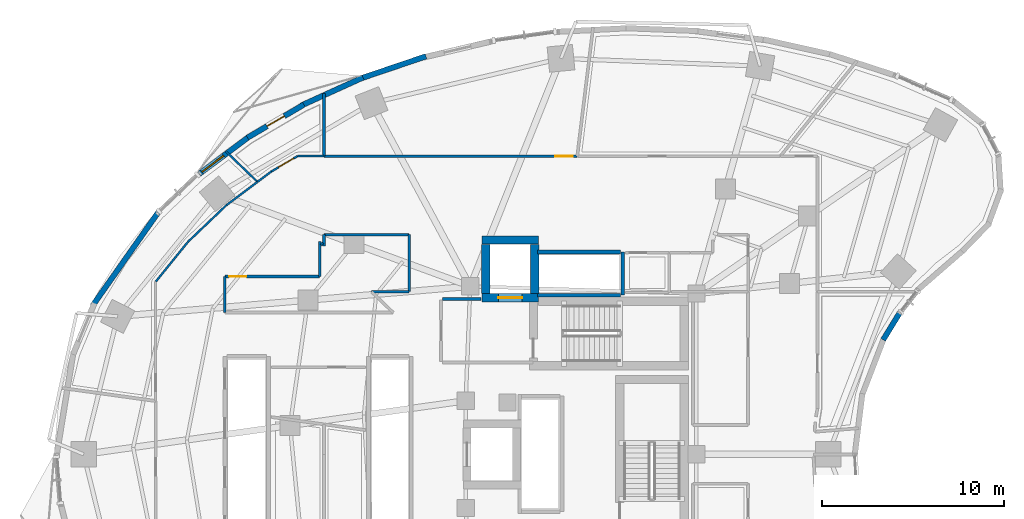
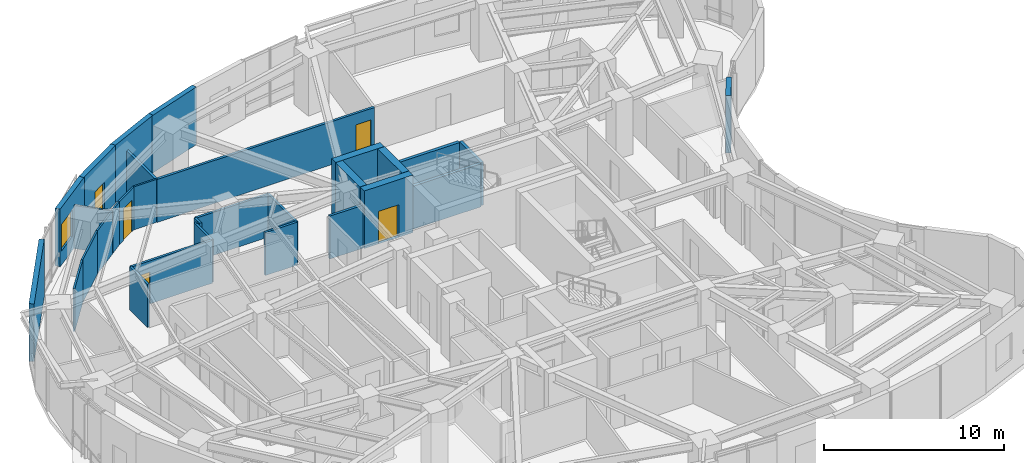
# One storey, part 11 of 16: 31 walls, 5 doors, 1 window, 6 openings.
"""IFC4 building model written with IfcOpenShell, lengths in metres."""

from ifc_helpers import new_model, si_unit, direction, frame, frame_2d, origin, place, context, subcontext, project, spatial, rectangle, extrude, material, layer, layer_set, type_object, element, fill, save


model = new_model("IFC4")

# Units and contexts
model_context = context("Model", 3, precision=1e-05, world=origin(), true_north=direction((0.0, 1.0)))
body_context = subcontext(model_context, "Body", "Model", "MODEL_VIEW")
ifc_project = project(units=[si_unit("LENGTHUNIT", "METRE"), si_unit("AREAUNIT", "SQUARE_METRE"), si_unit("VOLUMEUNIT", "CUBIC_METRE"), si_unit("PLANEANGLEUNIT", "RADIAN"), si_unit("MASSUNIT", "GRAM", prefix="KILO")], contexts=[model_context])

# Site, building, storey
site_placement = place(None, origin())
site = spatial("IfcSite", under=ifc_project, at=site_placement, CompositionType="ELEMENT")
building_placement = place(site_placement, origin())
building = spatial("IfcBuilding", under=site, at=building_placement, Name="Korentha Bioscience Tower", CompositionType="ELEMENT")
storey_placement = place(building_placement, frame((0.0, 0.0, 55.199951171875)))
storey = spatial("IfcBuildingStorey", under=building, at=storey_placement, Name="L12", CompositionType="ELEMENT", Elevation=55.199951171875)

# Wall, opening, door
ifc_material_1 = material(Name="Double-Stud Acoustic Gypsum", Category="gypsum")
ifc_layer_1 = layer(ifc_material_1, 0.14990234375, Name="Double-Stud Acoustic Gypsum")
ifc_layer_set_1 = layer_set([ifc_layer_1], Name="Double-Stud Acoustic Gypsum (IW-L150)")
wall_type_1 = type_object("IfcWallType", Name="Acoustic Laboratory Partition Wall 150", PredefinedType="PARTITIONING", material=ifc_layer_set_1)
wall_1_placement = place(storey_placement, frame((11.590087890625, 36.7900390625, 0.0), z_axis=(0.0, 0.0, 1.0), x_axis=(1.0, 0.0, 0.0)))
wall_1 = element("IfcWall", 1, at=wall_1_placement, inside=storey, type_object=wall_type_1, Name="L12 Data Visualization Collaboration Hub 18 Entrance Wall", PredefinedType="PARTITIONING", context=body_context, shape_type="SweptSolid", body=[
    extrude(rectangle(XDim=5.2099609375, YDim=0.14990234375, at=frame_2d((2.60498046875, 0.0))), origin(), (0.0, 0.0, 1.0), 2.91015625),
])
opening_1_placement = place(wall_1_placement, frame((0.239990234375, 0.0, 0.0)))
opening_1 = element("IfcOpeningElement", 2, at=opening_1_placement, cuts=wall_1, Name="Opening ID-10R", PredefinedType="OPENING", context=body_context, shape_type="SweptSolid", body=[
    extrude(rectangle(XDim=0.949951171875, YDim=2.14990234375, at=frame_2d((0.47509765625, 1.074951171875))), frame((0.0, 0.08984375, 0.0), z_axis=(0.0, -1.0, 0.0), x_axis=(1.0, 0.0, 0.0)), (0.0, 0.0, 1.0), 0.1796875),
])
ifc_material_2 = material(Name="Phenolic Laminate Timber Core", Category="wood")
door_type_1 = type_object("IfcDoorType", Name="Laboratory Single Leaf Door 950x2150 Right", OperationType="SINGLE_SWING_RIGHT", PredefinedType="DOOR", material=ifc_material_2)
door_1_placement = place(opening_1_placement, origin())
door_1 = element("IfcDoor", 3, at=door_1_placement, inside=storey, type_object=door_type_1, Name="L12 Data Visualization Collaboration Hub 18 Door", OperationType="SINGLE_SWING_RIGHT", OverallHeight=2.14990234375, OverallWidth=0.949951171875, PredefinedType="DOOR", context=body_context, shape_type="SweptSolid", body=[
    extrude(rectangle(XDim=0.949951171875, YDim=2.14990234375, at=frame_2d((0.47509765625, 1.074951171875))), frame((0.0, 0.02490234375, 0.0), z_axis=(0.0, -1.0, 0.0), x_axis=(1.0, 0.0, 0.0)), (0.0, 0.0, 1.0), 0.050048828125),
])
fill(opening_1, door_1)

# Walls
wall_2_placement = place(storey_placement, frame((17.052001953125, 38.47900390625, 0.0), z_axis=(0.0, 0.0, 1.0), x_axis=(0.0, 1.0, 0.0)))
element("IfcWall", 4, at=wall_2_placement, inside=storey, type_object=wall_type_1, Name="L12 Interior Partition 087", PredefinedType="PARTITIONING", context=body_context, shape_type="SweptSolid", body=[
    extrude(rectangle(XDim=0.611083984375, YDim=0.14990234375, at=frame_2d((0.3056640625, 0.0))), origin(), (0.0, 0.0, 1.0), 2.91015625),
])
wall_3_placement = place(storey_placement, frame((17.052001953125, 39.090087890625, 0.0), z_axis=(0.0, 0.0, 1.0), x_axis=(1.0, 0.0, 0.0)))
element("IfcWall", 5, at=wall_3_placement, inside=storey, type_object=wall_type_1, Name="L12 Interior Partition 088", PredefinedType="PARTITIONING", context=body_context, shape_type="SweptSolid", body=[
    extrude(rectangle(XDim=4.68798828125, YDim=0.14990234375, at=frame_2d((2.343994140625, 0.0))), origin(), (0.0, 0.0, 1.0), 2.91015625),
])
wall_4_placement = place(storey_placement, frame((21.739990234375, 39.090087890625, 0.0), z_axis=(0.0, 0.0, 1.0), x_axis=(0.0, -1.0, 0.0)))
element("IfcWall", 6, at=wall_4_placement, inside=storey, type_object=wall_type_1, Name="L12 Interior Partition 089", PredefinedType="PARTITIONING", context=body_context, shape_type="SweptSolid", body=[
    extrude(rectangle(XDim=3.13818359375, YDim=0.14990234375, at=frame_2d((1.569091796875, 0.0))), origin(), (0.0, 0.0, 1.0), 2.91015625),
])
wall_5_placement = place(storey_placement, frame((21.739990234375, 35.951904296875, 0.0), z_axis=(0.0, 0.0, 1.0), x_axis=(-1.0, 0.0, 0.0)))
element("IfcWall", 7, at=wall_5_placement, inside=storey, type_object=wall_type_1, Name="L12 Interior Partition 090", PredefinedType="PARTITIONING", context=body_context, shape_type="SweptSolid", body=[
    extrude(rectangle(XDim=2.061767578125, YDim=0.14990234375, at=frame_2d((1.03076171875, 0.0))), origin(), (0.0, 0.0, 1.0), 2.91015625),
])
wall_6_placement = place(storey_placement, frame((11.590087890625, 34.81005859375, 0.0), z_axis=(0.0, 0.0, 1.0), x_axis=(0.0, 1.0, 0.0)))
element("IfcWall", 8, at=wall_6_placement, inside=storey, type_object=wall_type_1, Name="L12 Interior Partition 093", PredefinedType="PARTITIONING", context=body_context, shape_type="SweptSolid", body=[
    extrude(rectangle(XDim=1.97998046875, YDim=0.14990234375, at=frame_2d((0.989990234375, 0.0))), origin(), (0.0, 0.0, 1.0), 2.91015625),
])
wall_7_placement = place(storey_placement, frame((16.81005859375, 36.800048828125, 0.0), z_axis=(0.0, 0.0, 1.0), x_axis=(0.0, 1.0, 0.0)))
element("IfcWall", 9, at=wall_7_placement, inside=storey, type_object=wall_type_1, Name="L12 Interior Partition 094", PredefinedType="PARTITIONING", context=body_context, shape_type="SweptSolid", body=[
    extrude(rectangle(XDim=1.90234375, YDim=0.14990234375, at=frame_2d((0.951171875, 0.0))), origin(), (0.0, 0.0, 1.0), 2.91015625),
])
wall_8_placement = place(storey_placement, frame((16.887939453125, 38.62744140625, 0.0), z_axis=(0.0, 0.0, 1.0), x_axis=(0.721264817237, -0.692659413721, 0.0)))
element("IfcWall", 10, at=wall_8_placement, inside=storey, type_object=wall_type_1, Name="L12 Interior Partition 095", PredefinedType="PARTITIONING", context=body_context, shape_type="SweptSolid", body=[
    extrude(rectangle(XDim=0.119384765625, YDim=0.14990234375, at=frame_2d((0.0595703125, 0.0))), origin(), (0.0, 0.0, 1.0), 2.91015625),
])

# Wall, opening, door
ifc_material_3 = material(Name="Fire-Rated Framed Glass", Category="glass")
ifc_layer_2 = layer(ifc_material_3, 0.110107421875, Name="Fire-Rated Framed Glass")
ifc_layer_set_2 = layer_set([ifc_layer_2], Name="Fire-Rated Framed Glass (IW-G110)")
wall_type_2 = type_object("IfcWallType", Name="Demountable Glazed Office Partition 110", PredefinedType="MOVABLE", material=ifc_layer_set_2)
wall_9_placement = place(storey_placement, frame((15.585693359375, 43.40869140625, 0.0), z_axis=(0.0, 0.0, 1.0), x_axis=(-0.862446636904, -0.506148000582, 0.0)))
wall_9 = element("IfcWall", 11, at=wall_9_placement, inside=storey, type_object=wall_type_2, Name="L12 Research Group Leader Office 17 Entrance Wall", PredefinedType="MOVABLE", context=body_context, shape_type="SweptSolid", body=[
    extrude(rectangle(XDim=1.652099609375, YDim=0.110107421875, at=frame_2d((0.826171875, 0.0))), origin(), (0.0, 0.0, 1.0), 2.91015625),
])
opening_2_placement = place(wall_9_placement, frame((0.239990234375, 0.0, 0.0)))
opening_2 = element("IfcOpeningElement", 12, at=opening_2_placement, cuts=wall_9, Name="Opening ID-10L", PredefinedType="OPENING", context=body_context, shape_type="SweptSolid", body=[
    extrude(rectangle(XDim=0.949951171875, YDim=2.14990234375, at=frame_2d((0.47509765625, 1.074951171875))), frame((0.0, 0.06982421875, 0.0), z_axis=(0.0, -1.0, 0.0), x_axis=(1.0, 0.0, 0.0)), (0.0, 0.0, 1.0), 0.139892578125),
])
door_type_2 = type_object("IfcDoorType", Name="Laboratory Single Leaf Door 950x2150 Left", OperationType="SINGLE_SWING_LEFT", PredefinedType="DOOR", material=ifc_material_2)
door_2_placement = place(opening_2_placement, origin())
door_2 = element("IfcDoor", 13, at=door_2_placement, inside=storey, type_object=door_type_2, Name="L12 Research Group Leader Office 17 Door", OperationType="SINGLE_SWING_LEFT", OverallHeight=2.14990234375, OverallWidth=0.949951171875, PredefinedType="DOOR", context=body_context, shape_type="SweptSolid", body=[
    extrude(rectangle(XDim=0.949951171875, YDim=2.14990234375, at=frame_2d((0.47509765625, 1.074951171875))), frame((0.0, 0.02490234375, 0.0), z_axis=(0.0, -1.0, 0.0), x_axis=(1.0, 0.0, 0.0)), (0.0, 0.0, 1.0), 0.050048828125),
])
fill(opening_2, door_2)

# Walls
wall_10_placement = place(storey_placement, frame((17.0419921875, 43.409912109375, 0.0), z_axis=(0.0, 0.0, 1.0), x_axis=(-1.0, 0.0, 0.0)))
element("IfcWall", 14, at=wall_10_placement, inside=storey, type_object=wall_type_2, Name="L12 Interior Partition 084", PredefinedType="MOVABLE", context=body_context, shape_type="SweptSolid", body=[
    extrude(rectangle(XDim=1.451171875, YDim=0.110107421875, at=frame_2d((0.7255859375, 0.0))), origin(), (0.0, 0.0, 1.0), 2.91015625),
])
wall_11_placement = place(storey_placement, frame((14.159912109375, 42.57177734375, 0.0), z_axis=(0.0, 0.0, 1.0), x_axis=(-0.800793474552, -0.598940573942, 0.0)))
element("IfcWall", 15, at=wall_11_placement, inside=storey, type_object=wall_type_2, Name="L12 Interior Partition 085", PredefinedType="MOVABLE", context=body_context, shape_type="SweptSolid", body=[
    extrude(rectangle(XDim=0.959228515625, YDim=0.110107421875, at=frame_2d((0.4794921875, 0.0))), origin(), (0.0, 0.0, 1.0), 2.91015625),
])
wall_12_placement = place(storey_placement, frame((13.391845703125, 41.997314453125, 0.0), z_axis=(0.0, 0.0, 1.0), x_axis=(-0.720542500503, 0.693410776502, 0.0)))
element("IfcWall", 16, at=wall_12_placement, inside=storey, type_object=wall_type_2, Name="L12 Interior Partition 086", PredefinedType="MOVABLE", context=body_context, shape_type="SweptSolid", body=[
    extrude(rectangle(XDim=2.4384765625, YDim=0.110107421875, at=frame_2d((1.21923828125, 0.0))), origin(), (0.0, 0.0, 1.0), 2.91015625),
])
wall_13_placement = place(storey_placement, frame((13.3837890625, 41.991455078125, 0.0), z_axis=(0.0, 0.0, 1.0), x_axis=(-0.800776961214, -0.598962651914, 0.0)))
element("IfcWall", 17, at=wall_13_placement, inside=storey, type_object=wall_type_2, Name="L12 Interior Partition 096", PredefinedType="MOVABLE", context=body_context, shape_type="SweptSolid", body=[
    extrude(rectangle(XDim=2.10986328125, YDim=0.110107421875, at=frame_2d((1.054931640625, 0.0))), origin(), (0.0, 0.0, 1.0), 2.91015625),
])
wall_14_placement = place(storey_placement, frame((11.693359375, 40.72705078125, 0.0), z_axis=(0.0, 0.0, 1.0), x_axis=(-0.723683526017, -0.690131983154, 0.0)))
element("IfcWall", 18, at=wall_14_placement, inside=storey, type_object=wall_type_2, Name="L12 Interior Partition 097", PredefinedType="MOVABLE", context=body_context, shape_type="SweptSolid", body=[
    extrude(rectangle(XDim=2.939697265625, YDim=0.110107421875, at=frame_2d((1.4697265625, 0.0))), origin(), (0.0, 0.0, 1.0), 2.91015625),
])
wall_15_placement = place(storey_placement, frame((9.565185546875, 38.697265625, 0.0), z_axis=(0.0, 0.0, 1.0), x_axis=(-0.629270515505, -0.777186347227, 0.0)))
element("IfcWall", 19, at=wall_15_placement, inside=storey, type_object=wall_type_2, Name="L12 Interior Partition 098", PredefinedType="MOVABLE", context=body_context, shape_type="SweptSolid", body=[
    extrude(rectangle(XDim=2.8173828125, YDim=0.110107421875, at=frame_2d((1.40869140625, 0.0))), origin(), (0.0, 0.0, 1.0), 2.91015625),
])
ifc_material_4 = material(Name="Gypsum-Clad Steel Stud", Category="steel")
ifc_layer_3 = layer(ifc_material_4, 0.159912109375, Name="Gypsum-Clad Steel Stud")
ifc_layer_set_3 = layer_set([ifc_layer_3], Name="Gypsum-Clad Steel Stud (IW-C160)")
wall_type_3 = type_object("IfcWallType", Name="Fire-Rated Corridor Partition Wall 160", PredefinedType="PARTITIONING", material=ifc_layer_set_3)
wall_16_placement = place(storey_placement, frame((23.580078125, 35.550048828125, 0.0), z_axis=(0.0, 0.0, 1.0), x_axis=(1.0, 0.0, 0.0)))
element("IfcWall", 20, at=wall_16_placement, inside=storey, type_object=wall_type_3, Name="L12 Firefighting Lobby Return Wall FFLN-N", PredefinedType="PARTITIONING", context=body_context, shape_type="SweptSolid", body=[
    extrude(rectangle(XDim=2.119873046875, YDim=0.159912109375, at=frame_2d((1.06005859375, 0.0))), origin(), (0.0, 0.0, 1.0), 2.91015625),
])

# Wall, opening, door
wall_17_placement = place(storey_placement, frame((30.98046875, 43.409912109375, 0.0), z_axis=(0.0, 0.0, 1.0), x_axis=(-1.0, 0.0, 0.0)))
wall_17 = element("IfcWall", 21, at=wall_17_placement, inside=storey, type_object=wall_type_3, Name="L12 Ultrapure Water Polisher Plant Alcove 16 Entrance Wall", PredefinedType="PARTITIONING", context=body_context, shape_type="SweptSolid", body=[
    extrude(rectangle(XDim=13.928466796875, YDim=0.159912109375, at=frame_2d((6.96435546875, 0.0))), origin(), (0.0, 0.0, 1.0), 2.91015625),
])
opening_3_placement = place(wall_17_placement, frame((0.239990234375, 0.0, 0.0)))
opening_3 = element("IfcOpeningElement", 22, at=opening_3_placement, cuts=wall_17, Name="Opening FD-120D", PredefinedType="OPENING", context=body_context, shape_type="SweptSolid", body=[
    extrude(rectangle(XDim=0.949951171875, YDim=2.14990234375, at=frame_2d((0.47509765625, 1.074951171875))), frame((0.0, 0.0947265625, 0.0), z_axis=(0.0, -1.0, 0.0), x_axis=(1.0, 0.0, 0.0)), (0.0, 0.0, 1.0), 0.189697265625),
])
ifc_material_5 = material(Name="Heavy-Duty Insulated Steel", Category="steel")
door_type_3 = type_object("IfcDoorType", Name="Plant & Riser Fire Door 950x2150 Left", OperationType="SINGLE_SWING_LEFT", PredefinedType="DOOR", material=ifc_material_5)
door_3_placement = place(opening_3_placement, origin())
door_3 = element("IfcDoor", 23, at=door_3_placement, inside=storey, type_object=door_type_3, Name="L12 Ultrapure Water Polisher Plant Alcove 16 Door", OperationType="SINGLE_SWING_LEFT", OverallHeight=2.14990234375, OverallWidth=0.949951171875, PredefinedType="DOOR", context=body_context, shape_type="SweptSolid", body=[
    extrude(rectangle(XDim=0.949951171875, YDim=2.14990234375, at=frame_2d((0.47509765625, 1.074951171875))), frame((0.0, 0.02490234375, 0.0), z_axis=(0.0, -1.0, 0.0), x_axis=(1.0, 0.0, 0.0)), (0.0, 0.0, 1.0), 0.050048828125),
])
fill(opening_3, door_3)

# Wall
wall_18_placement = place(storey_placement, frame((17.052001953125, 43.409912109375, 0.0), z_axis=(0.0, 0.0, 1.0), x_axis=(0.0, 1.0, 0.0)))
element("IfcWall", 24, at=wall_18_placement, inside=storey, type_object=wall_type_3, Name="L12 Interior Partition 083", PredefinedType="PARTITIONING", context=body_context, shape_type="SweptSolid", body=[
    extrude(rectangle(XDim=3.463134765625, YDim=0.159912109375, at=frame_2d((1.7314453125, 0.0))), origin(), (0.0, 0.0, 1.0), 2.91015625),
])

# Wall, opening, door
ifc_material_6 = material(Name="Honed Limestone Precast Concrete C40", Category="masonry")
ifc_layer_4 = layer(ifc_material_6, 0.300048828125, Name="Honed Limestone Precast Concrete C40")
ifc_layer_set_4 = layer_set([ifc_layer_4], Name="Honed Limestone Precast Concrete C40 (EW-ST300)")
wall_type_4 = type_object("IfcWallType", Name="Honed Limestone Cavity Spandrel Wall 300", PredefinedType="STANDARD", material=ifc_layer_set_4)
wall_19_placement = place(storey_placement, frame((15.943603515625, 46.25048828125, 0.0), z_axis=(0.0, 0.0, 1.0), x_axis=(-0.862473134325, -0.506102847817, 0.0)))
wall_19 = element("IfcWall", 25, at=wall_19_placement, inside=storey, type_object=wall_type_4, Name="L12 Balcony Threshold Wall 01", PredefinedType="STANDARD", context=body_context, shape_type="SweptSolid", body=[
    extrude(rectangle(XDim=3.59521484375, YDim=0.300048828125, at=frame_2d((1.797607421875, 0.0))), origin(), (0.0, 0.0, 1.0), 3.900146484375),
])
opening_4_placement = place(wall_19_placement, frame((1.24755859375, 0.0, 0.0)))
opening_4 = element("IfcOpeningElement", 26, at=opening_4_placement, cuts=wall_19, Name="Opening BD-11L", PredefinedType="OPENING", context=body_context, shape_type="SweptSolid", body=[
    extrude(rectangle(XDim=1.10009765625, YDim=2.14990234375, at=frame_2d((0.550048828125, 1.074951171875))), frame((0.0, 0.1650390625, 0.0), z_axis=(0.0, -1.0, 0.0), x_axis=(1.0, 0.0, 0.0)), (0.0, 0.0, 1.0), 0.329833984375),
])
ifc_material_7 = material(Name="Thermally Broken Glazed Aluminium", Category="aluminium")
door_type_4 = type_object("IfcDoorType", Name="Balcony Terrace Glazed Door 1100x2150 Left", OperationType="SINGLE_SWING_LEFT", PredefinedType="DOOR", material=ifc_material_7)
door_4_placement = place(opening_4_placement, origin())
door_4 = element("IfcDoor", 27, at=door_4_placement, inside=storey, type_object=door_type_4, Name="L12 Balcony Access Door 01", OperationType="SINGLE_SWING_LEFT", OverallHeight=2.14990234375, OverallWidth=1.10009765625, PredefinedType="DOOR", context=body_context, shape_type="SweptSolid", body=[
    extrude(rectangle(XDim=1.10009765625, YDim=2.14990234375, at=frame_2d((0.550048828125, 1.074951171875))), frame((0.0, 0.02490234375, 0.0), z_axis=(0.0, -1.0, 0.0), x_axis=(1.0, 0.0, 0.0)), (0.0, 0.0, 1.0), 0.050048828125),
])
fill(opening_4, door_4)

# Wall, opening, window
wall_20_placement = place(storey_placement, frame((12.957275390625, 44.507080078125, 0.0), z_axis=(0.0, 0.0, 1.0), x_axis=(-0.800798896088, -0.59893332519, 0.0)))
wall_20 = element("IfcWall", 28, at=wall_20_placement, inside=storey, type_object=wall_type_4, Name="L12 Honed Limestone Spandrel Wall 12", PredefinedType="STANDARD", context=body_context, shape_type="SweptSolid", body=[
    extrude(rectangle(XDim=3.480712890625, YDim=0.300048828125, at=frame_2d((1.740234375, 0.0))), origin(), (0.0, 0.0, 1.0), 3.900146484375),
])
opening_5_placement = place(wall_20_placement, frame((1.776611328125, 0.0, 0.949951171875)))
opening_5 = element("IfcOpeningElement", 29, at=opening_5_placement, cuts=wall_20, Name="Opening WN-02", PredefinedType="OPENING", context=body_context, shape_type="SweptSolid", body=[
    extrude(rectangle(XDim=1.5, YDim=1.800048828125, at=frame_2d((0.75, 0.89990234375))), frame((0.0, 0.1650390625, 0.0), z_axis=(0.0, -1.0, 0.0), x_axis=(1.0, 0.0, 0.0)), (0.0, 0.0, 1.0), 0.329833984375),
])
ifc_material_8 = material(Name="Thermally Broken Aluminium Triple Glazing", Category="aluminium")
window_type = type_object("IfcWindowType", Name="Acoustic Operable Office Window 1500x1800", PartitioningType="DOUBLE_PANEL_VERTICAL", PredefinedType="WINDOW", material=ifc_material_8)
window_placement = place(opening_5_placement, origin())
window = element("IfcWindow", 30, at=window_placement, inside=storey, type_object=window_type, Name="L12 Facade Window 12", OverallHeight=1.800048828125, OverallWidth=1.5, PartitioningType="DOUBLE_PANEL_VERTICAL", PredefinedType="WINDOW", context=body_context, shape_type="SweptSolid", body=[
    extrude(rectangle(XDim=1.5, YDim=1.800048828125, at=frame_2d((0.75, 0.89990234375))), frame((0.0, 0.030029296875, 0.0), z_axis=(0.0, -1.0, 0.0), x_axis=(1.0, 0.0, 0.0)), (0.0, 0.0, 1.0), 0.06005859375),
])
fill(opening_5, window)

# Walls
wall_21_placement = place(storey_placement, frame((22.6669921875, 48.9091796875, 0.0), z_axis=(0.0, 0.0, 1.0), x_axis=(-0.94702579403, -0.321157508773, 0.0)))
element("IfcWall", 31, at=wall_21_placement, inside=storey, type_object=wall_type_4, Name="L12 Limestone Perimeter Closure Wall 09", PredefinedType="STANDARD", context=body_context, shape_type="SweptSolid", body=[
    extrude(rectangle(XDim=3.829833984375, YDim=0.300048828125, at=frame_2d((1.9150390625, 0.0))), origin(), (0.0, 0.0, 1.0), 3.900146484375),
])
wall_22_placement = place(storey_placement, frame((19.201416015625, 47.7431640625, 0.0), z_axis=(0.0, 0.0, 1.0), x_axis=(-0.910623406862, -0.413237233166, 0.0)))
element("IfcWall", 32, at=wall_22_placement, inside=storey, type_object=wall_type_4, Name="L12 Limestone Perimeter Closure Wall 10", PredefinedType="STANDARD", context=body_context, shape_type="SweptSolid", body=[
    extrude(rectangle(XDim=3.73974609375, YDim=0.300048828125, at=frame_2d((1.869873046875, 0.0))), origin(), (0.0, 0.0, 1.0), 3.900146484375),
])
wall_23_placement = place(storey_placement, frame((7.935791015625, 40.333251953125, 0.0), z_axis=(0.0, 0.0, 1.0), x_axis=(-0.575165804445, -0.818036855769, 0.0)))
element("IfcWall", 33, at=wall_23_placement, inside=storey, type_object=wall_type_4, Name="L12 Limestone Perimeter Closure Wall 14", PredefinedType="STANDARD", context=body_context, shape_type="SweptSolid", body=[
    extrude(rectangle(XDim=6.295654296875, YDim=0.300048828125, at=frame_2d((3.14794921875, 0.0))), origin(), (0.0, 0.0, 1.0), 3.900146484375),
])
wall_24_placement = place(storey_placement, frame((47.82470703125, 33.302734375, 0.0), z_axis=(0.0, 0.0, 1.0), x_axis=(0.522520662875, 0.852626622191, 0.0)))
element("IfcWall", 34, at=wall_24_placement, inside=storey, type_object=wall_type_4, Name="L12 Limestone Perimeter Closure Wall 54", PredefinedType="STANDARD", context=body_context, shape_type="SweptSolid", body=[
    extrude(rectangle(XDim=1.7978515625, YDim=0.300048828125, at=frame_2d((0.89892578125, 0.0))), origin(), (0.0, 0.0, 1.0), 3.900146484375),
])
ifc_material_9 = material(Name="Autoclaved Aerated Concrete Block C25", Category="concrete")
ifc_layer_5 = layer(ifc_material_9, 0.199951171875, Name="Autoclaved Aerated Concrete Block C25")
ifc_layer_set_5 = layer_set([ifc_layer_5], Name="Autoclaved Aerated Concrete Block C25 (IW-S200)")
wall_type_5 = type_object("IfcWallType", Name="Lift and Riser Shaft Enclosure Wall 200", PredefinedType="PARTITIONING", material=ifc_layer_set_5)
wall_25_placement = place(storey_placement, frame((33.489990234375, 35.760009765625, 0.0), z_axis=(0.0, 0.0, 1.0), x_axis=(0.0, 1.0, 0.0)))
element("IfcWall", 35, at=wall_25_placement, inside=storey, type_object=wall_type_5, Name="L12 Lift Bank OBS Shaft Wall +X", PredefinedType="PARTITIONING", context=body_context, shape_type="SweptSolid", body=[
    extrude(rectangle(XDim=2.3798828125, YDim=0.199951171875, at=frame_2d((1.18994140625, 0.0))), origin(), (0.0, 0.0, 1.0), 2.91015625),
])
for number, where, z_axis, x_axis, name in (
    (36, (28.800048828125, 35.760009765625, 0.0), (0.0, 0.0, 1.0), (1.0, 0.0, 0.0), "L12 Lift Bank OBS Shaft Wall -Y"),
    (37, (28.800048828125, 38.139892578125, 0.0), (0.0, 0.0, 1.0), (1.0, 0.0, 0.0), "L12 Lift Bank OBS Shaft Wall +Y"),
):
    element("IfcWall", number, at=place(storey_placement, frame(where, z_axis=z_axis, x_axis=x_axis)), inside=storey, type_object=wall_type_5, Name=name, PredefinedType="PARTITIONING", context=body_context, shape_type="SweptSolid", body=[
        extrude(rectangle(XDim=4.570068359375, YDim=0.199951171875, at=frame_2d((2.28515625, 0.0))), origin(), (0.0, 0.0, 1.0), 2.91015625),
    ])
ifc_material_10 = material(Name="Concrete C80", Category="concrete")
ifc_layer_6 = layer(ifc_material_10, 0.449951171875, Name="Concrete C80")
ifc_layer_set_6 = layer_set([ifc_layer_6], Name="Concrete C80 (CW-C80)")
wall_type_6 = type_object("IfcWallType", Name="Lower Core Shear Wall 450", PredefinedType="SHEAR", material=ifc_layer_set_6)
wall_26_placement = place(storey_placement, frame((25.75, 38.800048828125, 0.0), z_axis=(0.0, 0.0, 1.0), x_axis=(1.0, 0.0, 0.0)))
element("IfcWall", 38, at=wall_26_placement, inside=storey, type_object=wall_type_6, Name="L12 Core Shear Wall FFL2-N", PredefinedType="SHEAR", context=body_context, shape_type="SweptSolid", body=[
    extrude(rectangle(XDim=3.10009765625, YDim=0.449951171875, at=frame_2d((1.550048828125, 0.0))), origin(), (0.0, 0.0, 1.0), 3.900146484375),
])

# Wall, opening, door
wall_27_placement = place(storey_placement, frame((25.75, 35.6201171875, 0.0), z_axis=(0.0, 0.0, 1.0), x_axis=(1.0, 0.0, 0.0)))
wall_27 = element("IfcWall", 39, at=wall_27_placement, inside=storey, type_object=wall_type_6, Name="L12 Core Shear Wall FFL2-S", PredefinedType="SHEAR", context=body_context, shape_type="SweptSolid", body=[
    extrude(rectangle(XDim=3.10009765625, YDim=0.449951171875, at=frame_2d((1.550048828125, 0.0))), origin(), (0.0, 0.0, 1.0), 3.900146484375),
])
opening_6_placement = place(wall_27_placement, frame((0.89990234375, 0.0, 0.0)))
opening_6 = element("IfcOpeningElement", 40, at=opening_6_placement, cuts=wall_27, Name="Opening LD-13", PredefinedType="OPENING", context=body_context, shape_type="SweptSolid", body=[
    extrude(rectangle(XDim=1.300048828125, YDim=2.199951171875, at=frame_2d((0.64990234375, 1.10009765625))), frame((0.0, 0.23974609375, 0.0), z_axis=(0.0, -1.0, 0.0), x_axis=(1.0, 0.0, 0.0)), (0.0, 0.0, 1.0), 0.479736328125),
])
ifc_material_11 = material(Name="Brushed Stainless Steel 316", Category="steel")
door_type_5 = type_object("IfcDoorType", Name="Service & Firefighting Lift Landing Door 1300x2300", OperationType="DOUBLE_DOOR_SLIDING", PredefinedType="DOOR", material=ifc_material_11)
door_5_placement = place(opening_6_placement, origin())
door_5 = element("IfcDoor", 41, at=door_5_placement, inside=storey, type_object=door_type_5, Name="L12 FFL-2 Sliding Lift Landing Door", OperationType="DOUBLE_DOOR_SLIDING", OverallHeight=2.199951171875, OverallWidth=1.300048828125, PredefinedType="DOOR", context=body_context, shape_type="SweptSolid", body=[
    extrude(rectangle(XDim=1.300048828125, YDim=2.199951171875, at=frame_2d((0.64990234375, 1.10009765625))), frame((0.0, 0.02490234375, 0.0), z_axis=(0.0, -1.0, 0.0), x_axis=(1.0, 0.0, 0.0)), (0.0, 0.0, 1.0), 0.050048828125),
])
fill(opening_6, door_5)

# Walls
for number, where, z_axis, x_axis, name in (
    (42, (25.949951171875, 35.860107421875, 0.0), (0.0, 0.0, 1.0), (0.0, 1.0, 0.0), "L12 Core Shear Wall FFL2-W"),
    (43, (28.64990234375, 35.860107421875, 0.0), (0.0, 0.0, 1.0), (0.0, 1.0, 0.0), "L12 Core Shear Wall FFL2-E"),
):
    element("IfcWall", number, at=place(storey_placement, frame(where, z_axis=z_axis, x_axis=x_axis)), inside=storey, type_object=wall_type_6, Name=name, PredefinedType="SHEAR", context=body_context, shape_type="SweptSolid", body=[
        extrude(rectangle(XDim=2.699951171875, YDim=0.449951171875, at=frame_2d((1.35009765625, 0.0))), origin(), (0.0, 0.0, 1.0), 3.900146484375),
    ])

save(model, "model.ifc")
